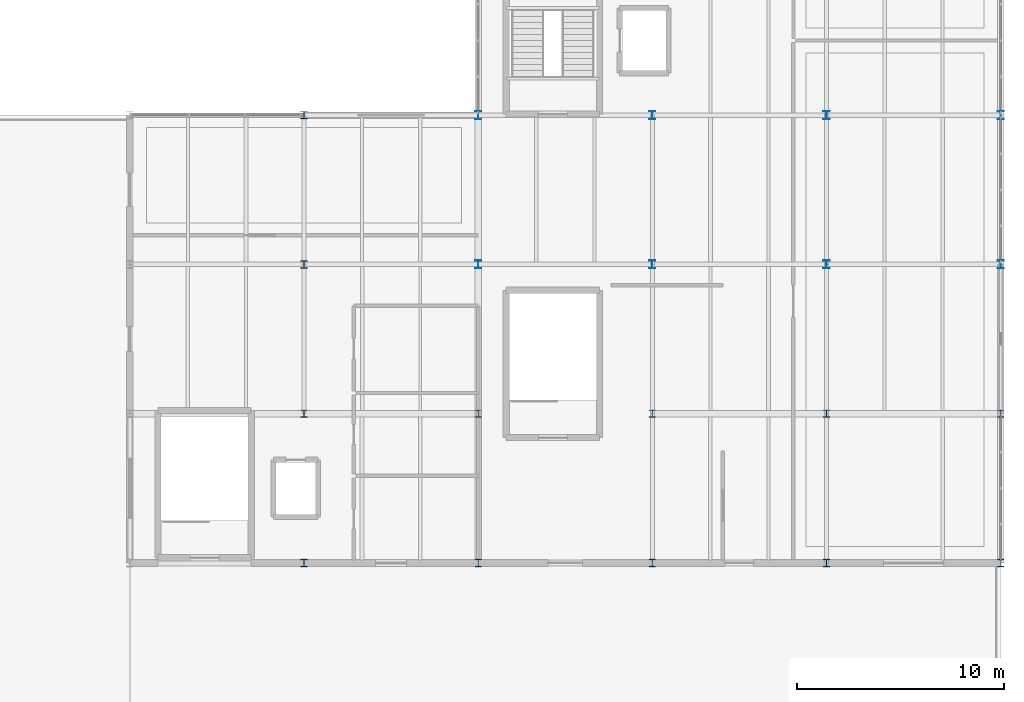
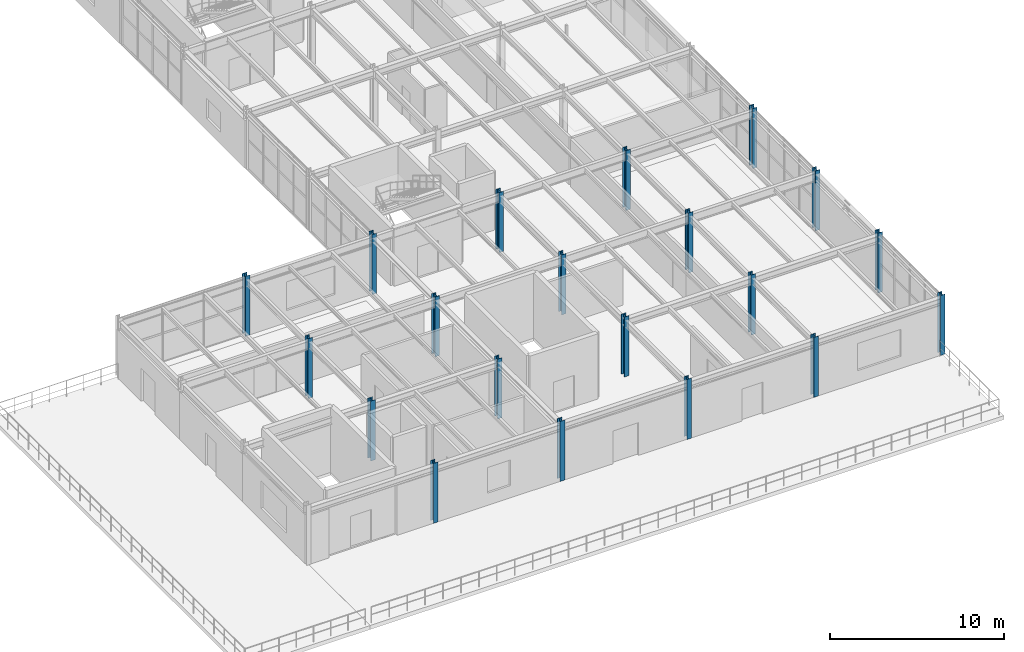
# One storey, part 3 of 134: 20 columns.
"""IFC4 building model written with IfcOpenShell, lengths in metres."""

import ifcopenshell
import ifcopenshell.guid

model = None  # the IFC model being written
_history = None  # IfcOwnerHistory: only IFC2X3 demands one
_inside = {}  # id of a spatial element -> (the spatial element, [elements in it])
_under = {}  # id of a project, library or spatial element -> (it, [spatial elements below it])
_declared = {}  # id of a project -> (the project, [libraries it declares])
_typed = {}  # id of a type object -> (the type object, [elements of that type])
_made_of = {}  # id of a material, layer set ... -> (it, [elements and type objects made of it])


def new_model(schema):
    """Start an empty IFC model of exactly this schema.

    Asked for "IFC4X3", IfcOpenShell would pick the latest addendum, in which some entities
    have other attributes; the version numbers below select the first issue.
    IFC2X3 requires an IfcOwnerHistory on every rooted entity: one is made here for all.
    """
    global model, _history
    if schema == "IFC4X3":
        model = ifcopenshell.file(schema_version=(4, 3, 0, 0))
    else:
        model = ifcopenshell.file(schema=schema)
    _inside.clear()
    _under.clear()
    _declared.clear()
    _typed.clear()
    _made_of.clear()
    _history = None
    if model.schema == "IFC2X3":
        org = make("IfcOrganization", Name="unknown")
        user = make(
            "IfcPersonAndOrganization",
            ThePerson=make("IfcPerson", FamilyName="unknown"),
            TheOrganization=org,
        )
        app = make(
            "IfcApplication",
            ApplicationDeveloper=org,
            Version="unknown",
            ApplicationFullName="unknown",
            ApplicationIdentifier="unknown",
        )
        _history = make(
            "IfcOwnerHistory",
            OwningUser=user,
            OwningApplication=app,
            ChangeAction="ADDED",
            CreationDate=0,
        )
    return model


def make(cls, **values):
    """One entity of the class cls with the attributes given. An attribute that is None is left unset."""
    return model.create_entity(
        cls, **{name: value for name, value in values.items() if value is not None}
    )


def rooted(cls, **values):
    """An entity with a GlobalId (a new one), such as an element, a storey or a relation."""
    return make(cls, GlobalId=ifcopenshell.guid.new(), OwnerHistory=_history, **values)


def si_unit(unit_type, name, prefix=None):
    """IfcSIUnit, for example si_unit("LENGTHUNIT", "METRE", prefix="MILLI")."""
    return make("IfcSIUnit", UnitType=unit_type, Prefix=prefix, Name=name)


def derived_unit(unit_type, elements):
    """IfcDerivedUnit: a product of units, each with its exponent."""
    return make(
        "IfcDerivedUnit",
        Elements=[
            make("IfcDerivedUnitElement", Unit=unit, Exponent=power)
            for unit, power in elements
        ],
        UnitType=unit_type,
    )


def assignment(units):
    """IfcUnitAssignment: the units of a project."""
    return None if units is None else make("IfcUnitAssignment", Units=units)


def point(xyz):
    """IfcCartesianPoint."""
    return None if xyz is None else make("IfcCartesianPoint", Coordinates=xyz)


def direction(xyz):
    """IfcDirection."""
    return None if xyz is None else make("IfcDirection", DirectionRatios=xyz)


def frame(location, z_axis=None, x_axis=None):
    """IfcAxis2Placement3D, a coordinate frame: its origin and axes. An axis left out is left unset."""
    return make(
        "IfcAxis2Placement3D",
        Location=point(location),
        Axis=direction(z_axis),
        RefDirection=direction(x_axis),
    )


def frame_2d(location, x_axis=None):
    """IfcAxis2Placement2D, a coordinate frame in the plane: its origin and x axis."""
    return make(
        "IfcAxis2Placement2D", Location=point(location), RefDirection=direction(x_axis)
    )


def origin():
    """The frame at (0, 0, 0) with its axes left unset."""
    return frame((0.0, 0.0, 0.0))


def origin_2d():
    """The frame at (0, 0) in the plane with its x axis left unset."""
    return frame_2d((0.0, 0.0))


def place(relative_to, where):
    """IfcLocalPlacement: puts the frame where relative to a parent placement (None: the world)."""
    return make(
        "IfcLocalPlacement", PlacementRelTo=relative_to, RelativePlacement=where
    )


def context(
    kind, dimensions, precision=None, world=None, true_north=None, identifier=None
):
    """IfcGeometricRepresentationContext, for example the 3D "Model" context."""
    return make(
        "IfcGeometricRepresentationContext",
        ContextIdentifier=identifier,
        ContextType=kind,
        CoordinateSpaceDimension=dimensions,
        Precision=precision,
        WorldCoordinateSystem=world,
        TrueNorth=true_north,
    )


def subcontext(parent, identifier, kind, view, scale=None):
    """IfcGeometricRepresentationSubContext, for example "Body" below "Model"."""
    return make(
        "IfcGeometricRepresentationSubContext",
        ContextIdentifier=identifier,
        ContextType=kind,
        ParentContext=parent,
        TargetScale=scale,
        TargetView=view,
    )


def project(units=None, contexts=None):
    """IfcProject with its units and contexts."""
    return rooted(
        "IfcProject",
        Name="project",
        RepresentationContexts=contexts,
        UnitsInContext=assignment(units),
    )


def spatial(cls, under=None, at=None, **own):
    """A site, building, storey or space (cls), placed at a placement, below another one or the project."""
    s = rooted(cls, ObjectPlacement=at, **own)
    if under is not None:
        _under.setdefault(under.id(), (under, []))[1].append(s)
    return s


def profile(cls, at=None, kind="AREA", **sizes):
    """A parametric profile (cls). Its sizes go by their IFC names, for example OverallWidth=200.0."""
    return make(cls, ProfileType=kind, Position=at, **sizes)


def i_section(**sizes):
    """IfcIShapeProfileDef."""
    return profile("IfcIShapeProfileDef", **sizes)


def extrude(swept, where, along, depth):
    """IfcExtrudedAreaSolid: the profile swept, set in the frame where, extruded along a direction by depth."""
    return make(
        "IfcExtrudedAreaSolid",
        SweptArea=swept,
        Position=where,
        ExtrudedDirection=direction(along),
        Depth=depth,
    )


def shape(context_of_items, identifier, shape_type, items):
    """IfcShapeRepresentation: the items that make up one representation, for example the "Body"."""
    return make(
        "IfcShapeRepresentation",
        ContextOfItems=context_of_items,
        RepresentationIdentifier=identifier,
        RepresentationType=shape_type,
        Items=items,
    )


def material(Name=None, Category=None):
    """IfcMaterial."""
    return make("IfcMaterial", Name=Name, Category=Category)


def material_profile(
    of_material, cross_section, Name=None, Category=None, Priority=None
):
    """IfcMaterialProfile: a cross section and its material."""
    return make(
        "IfcMaterialProfile",
        Name=Name,
        Material=of_material,
        Profile=cross_section,
        Priority=Priority,
        Category=Category,
    )


def profile_set(profiles, Name=None, composite=None):
    """IfcMaterialProfileSet."""
    return make(
        "IfcMaterialProfileSet",
        Name=Name,
        MaterialProfiles=profiles,
        CompositeProfile=composite,
    )


def made_of(thing, what):
    """Note that an element or type object is made of a material, layer set ...; save() writes the relation."""
    if what is not None:
        _made_of.setdefault(what.id(), (what, []))[1].append(thing)
    return thing


def type_object(cls, material=None, **own):
    """A type object (cls), such as IfcWallType, which elements share."""
    return made_of(rooted(cls, **own), material)


def element(
    cls,
    number,
    at=None,
    inside=None,
    cuts=None,
    type_object=None,
    material=None,
    context=None,
    identifier="Body",
    shape_type=None,
    held_by="IfcProductDefinitionShape",
    body=None,
    shapes=None,
    **own,
):
    """One element of the class cls, such as IfcWall. Its Tag is "e" and its number.

    at: its placement. inside: the storey or other place that contains it. cuts: it is an
    opening in that element (IfcRelVoidsElement). A single representation is given by context,
    identifier, shape_type and body (its items); several are given by shapes. held_by: the class
    of the entity that holds the representations. save() writes the other relations.
    """
    e = rooted(cls, Tag="e%d" % number, ObjectPlacement=at, **own)
    if body is not None:
        shapes = [shape(context, identifier, shape_type, body)]
    if shapes is not None:
        e.Representation = make(held_by, Representations=shapes)
    if inside is not None:
        _inside.setdefault(inside.id(), (inside, []))[1].append(e)
    if cuts is not None:
        rooted(
            "IfcRelVoidsElement", RelatingBuildingElement=cuts, RelatedOpeningElement=e
        )
    if type_object is not None:
        _typed.setdefault(type_object.id(), (type_object, []))[1].append(e)
    return made_of(e, material)


def aggregate(whole, parts):
    """IfcRelAggregates: a whole, such as a stair, and the parts it consists of."""
    return rooted("IfcRelAggregates", RelatingObject=whole, RelatedObjects=parts)


def save(model, path):
    """Write the relations noted so far, then the file.

    IfcRelAggregates (storeys below a building ...), IfcRelContainedInSpatialStructure (elements
    in a storey), IfcRelDefinesByType, IfcRelAssociatesMaterial and IfcRelDeclares: one each for
    every whole, place, type object, material and project.
    """
    for whole, parts in _under.values():
        aggregate(whole, parts)
    for where, things in _inside.values():
        rooted(
            "IfcRelContainedInSpatialStructure",
            RelatedElements=things,
            RelatingStructure=where,
        )
    for kind, things in _typed.values():
        rooted("IfcRelDefinesByType", RelatedObjects=things, RelatingType=kind)
    for what, things in _made_of.values():
        rooted("IfcRelAssociatesMaterial", RelatedObjects=things, RelatingMaterial=what)
    for by, libraries in _declared.values():
        rooted("IfcRelDeclares", RelatingContext=by, RelatedDefinitions=libraries)
    model.write(path)


model = new_model("IFC4")

# Units and contexts
model_context = context("Model", 3, precision=1e-05, world=origin(), true_north=direction((0.0, 1.0)))
body_context = subcontext(model_context, "Body", "Model", "MODEL_VIEW")
ifc_project = project(units=[si_unit("LENGTHUNIT", "METRE"), si_unit("AREAUNIT", "SQUARE_METRE"), si_unit("VOLUMEUNIT", "CUBIC_METRE"), si_unit("PLANEANGLEUNIT", "RADIAN"), si_unit("MASSUNIT", "GRAM", prefix="KILO"), derived_unit("THERMALTRANSMITTANCEUNIT", [(si_unit("MASSUNIT", "GRAM", prefix="KILO"), 1), (si_unit("TIMEUNIT", "SECOND"), -3), (si_unit("THERMODYNAMICTEMPERATUREUNIT", "KELVIN"), -1)])], contexts=[model_context])

# Site, building, storey
site_placement = place(None, origin())
site = spatial("IfcSite", under=ifc_project, at=site_placement, CompositionType="ELEMENT")
building_placement = place(site_placement, origin())
building = spatial("IfcBuilding", under=site, at=building_placement, Name="Kharveza Railside Sports Centre", CompositionType="ELEMENT")
storey_placement = place(building_placement, frame((0.0, 0.0, 12.89990234375)))
storey = spatial("IfcBuildingStorey", under=building, at=storey_placement, Name="L03", CompositionType="ELEMENT", Elevation=12.89990234375)

# Columns
ifc_material = material(Name="Steel S355J2", Category="steel")
ifc_material_profile_1 = material_profile(ifc_material, i_section(OverallWidth=0.300048828125, OverallDepth=0.389892578125, WebThickness=0.010986328125, FlangeThickness=0.01904296875, FilletRadius=0.027099609375, at=origin_2d()), Name="HEA 400")
ifc_profile_set_1 = profile_set([ifc_material_profile_1], Name="Steel S355J2")
column_type_1 = type_object("IfcColumnType", Name="COL-S10", PredefinedType="COLUMN", material=ifc_profile_set_1)
for number, where, z_axis, x_axis, name in (
    (1, (142.800048828125, 28.800048828125, 0.0), (0.0, 0.0, 1.0), (1.0, 0.0, 0.0), "COL-G-C10-X1428-Y288-L03"),
    (2, (142.800048828125, 36.0, 0.0), (0.0, 0.0, 1.0), (1.0, 0.0, 0.0), "COL-G-C10-X1428-Y360-L03"),
    (3, (151.199951171875, 28.800048828125, 0.0), (0.0, 0.0, 1.0), (1.0, 0.0, 0.0), "COL-G-C10-X1512-Y288-L03"),
    (4, (151.199951171875, 36.0, 0.0), (0.0, 0.0, 1.0), (1.0, 0.0, 0.0), "COL-G-C10-X1512-Y360-L03"),
    (5, (159.60009765625, 28.800048828125, 0.0), (0.0, 0.0, 1.0), (1.0, 0.0, 0.0), "COL-G-C10-X1596-Y288-L03"),
    (6, (159.60009765625, 36.0, 0.0), (0.0, 0.0, 1.0), (1.0, 0.0, 0.0), "COL-G-C10-X1596-Y360-L03"),
    (7, (168.0, 28.800048828125, 0.0), (0.0, 0.0, 1.0), (1.0, 0.0, 0.0), "COL-G-C10-X1680-Y288-L03"),
    (8, (168.0, 36.0, 0.0), (0.0, 0.0, 1.0), (1.0, 0.0, 0.0), "COL-G-C10-X1680-Y360-L03"),
):
    element("IfcColumn", number, at=place(storey_placement, frame(where, z_axis=z_axis, x_axis=x_axis)), inside=storey, type_object=column_type_1, Name=name, PredefinedType="COLUMN", context=body_context, shape_type="SweptSolid", body=[
        extrude(i_section(OverallWidth=0.300048828125, OverallDepth=0.389892578125, WebThickness=0.010986328125, FlangeThickness=0.01904296875, FilletRadius=0.027099609375, at=origin_2d()), origin(), (0.0, 0.0, 1.0), 4.2001953125),
    ])
ifc_material_profile_2 = material_profile(ifc_material, i_section(OverallWidth=0.300048828125, OverallDepth=0.35009765625, WebThickness=0.010009765625, FlangeThickness=0.017578125, FilletRadius=0.027099609375, at=origin_2d()), Name="HEA 360")
ifc_profile_set_2 = profile_set([ifc_material_profile_2], Name="Steel S355J2")
column_type_2 = type_object("IfcColumnType", Name="COL-S11", PredefinedType="COLUMN", material=ifc_profile_set_2)
for number, where, z_axis, x_axis, name in (
    (9, (134.39990234375, 14.39990234375, 0.0), (0.0, 0.0, 1.0), (1.0, 0.0, 0.0), "COL-G-C11-X1344-Y144-L03"),
    (10, (134.39990234375, 21.60009765625, 0.0), (0.0, 0.0, 1.0), (1.0, 0.0, 0.0), "COL-G-C11-X1344-Y216-L03"),
    (11, (134.39990234375, 28.800048828125, 0.0), (0.0, 0.0, 1.0), (1.0, 0.0, 0.0), "COL-G-C11-X1344-Y288-L03"),
    (12, (134.39990234375, 36.0, 0.0), (0.0, 0.0, 1.0), (1.0, 0.0, 0.0), "COL-G-C11-X1344-Y360-L03"),
    (13, (142.800048828125, 14.39990234375, 0.0), (0.0, 0.0, 1.0), (1.0, 0.0, 0.0), "COL-G-C11-X1428-Y144-L03"),
    (14, (142.800048828125, 21.60009765625, 0.0), (0.0, 0.0, 1.0), (1.0, 0.0, 0.0), "COL-G-C11-X1428-Y216-L03"),
    (15, (151.199951171875, 14.39990234375, 0.0), (0.0, 0.0, 1.0), (1.0, 0.0, 0.0), "COL-G-C11-X1512-Y144-L03"),
    (16, (151.199951171875, 21.60009765625, 0.0), (0.0, 0.0, 1.0), (1.0, 0.0, 0.0), "COL-G-C11-X1512-Y216-L03"),
    (17, (159.60009765625, 14.39990234375, 0.0), (0.0, 0.0, 1.0), (1.0, 0.0, 0.0), "COL-G-C11-X1596-Y144-L03"),
    (18, (159.60009765625, 21.60009765625, 0.0), (0.0, 0.0, 1.0), (1.0, 0.0, 0.0), "COL-G-C11-X1596-Y216-L03"),
    (19, (168.0, 14.39990234375, 0.0), (0.0, 0.0, 1.0), (1.0, 0.0, 0.0), "COL-G-C11-X1680-Y144-L03"),
    (20, (168.0, 21.60009765625, 0.0), (0.0, 0.0, 1.0), (1.0, 0.0, 0.0), "COL-G-C11-X1680-Y216-L03"),
):
    element("IfcColumn", number, at=place(storey_placement, frame(where, z_axis=z_axis, x_axis=x_axis)), inside=storey, type_object=column_type_2, Name=name, PredefinedType="COLUMN", context=body_context, shape_type="SweptSolid", body=[
        extrude(i_section(OverallWidth=0.300048828125, OverallDepth=0.35009765625, WebThickness=0.010009765625, FlangeThickness=0.017578125, FilletRadius=0.027099609375, at=origin_2d()), origin(), (0.0, 0.0, 1.0), 4.2001953125),
    ])

save(model, "model.ifc")
